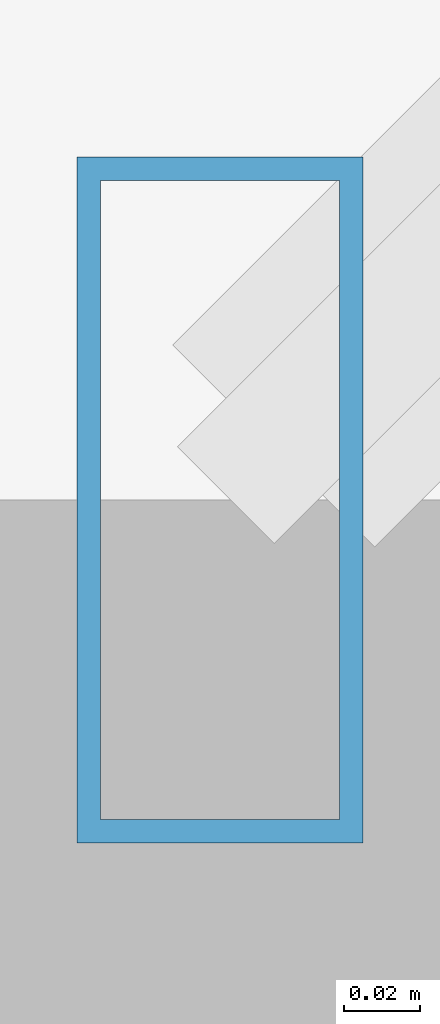
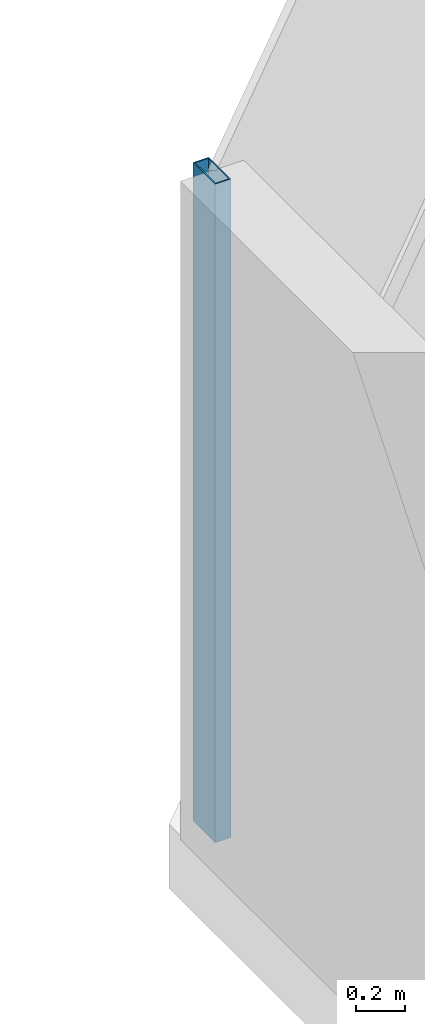
# One storey, part 17 of 42: 1 member, 1 element without a shape of its own.
"""IFC4 building model written with IfcOpenShell, lengths in metres."""

from ifc_helpers import new_model, si_unit, direction, frame, origin, origin_2d, place, context, subcontext, project, spatial, hollow_rectangle, extrude, material, material_profile, profile_set, type_object, element, aggregate, save


model = new_model("IFC4")

# Units and contexts
model_context = context("Model", 3, precision=1e-05, world=origin(), true_north=direction((0.0, 1.0)))
body_context = subcontext(model_context, "Body", "Model", "MODEL_VIEW")
ifc_project = project(units=[si_unit("LENGTHUNIT", "METRE"), si_unit("AREAUNIT", "SQUARE_METRE"), si_unit("VOLUMEUNIT", "CUBIC_METRE"), si_unit("PLANEANGLEUNIT", "RADIAN"), si_unit("MASSUNIT", "GRAM", prefix="KILO")], contexts=[model_context])

# Site, building, storey
site_placement = place(None, origin())
site = spatial("IfcSite", under=ifc_project, at=site_placement, CompositionType="ELEMENT")
building_placement = place(site_placement, origin())
building = spatial("IfcBuilding", under=site, at=building_placement, Name="Thornwick Lancets Civic Towers", CompositionType="ELEMENT")
storey_placement = place(building_placement, frame((0.0, 0.0, 221.699951171875)))
storey = spatial("IfcBuildingStorey", under=building, at=storey_placement, Name="L59", CompositionType="ELEMENT", Elevation=221.699951171875)

# Curtain wall, member
ifc_material_1 = material(Name="High-zone chamfered-corner unitised glass curtain wall", Category="glass")
curtain_wall_type = type_object("IfcCurtainWallType", Name="CW_SYS_05", PredefinedType="NOTDEFINED", material=ifc_material_1)
curtain_wall_placement = place(storey_placement, origin())
curtain_wall = element("IfcCurtainWall", 1, at=curtain_wall_placement, inside=storey, type_object=curtain_wall_type, Name="L59 Curtain Wall CW-L59-B-E5", PredefinedType="NOTDEFINED")
ifc_material_2 = material(Name="Thermally broken bronze aluminium S355", Category="steel")
ifc_material_profile = material_profile(ifc_material_2, hollow_rectangle(XDim=0.074951171875, YDim=0.179931640625, WallThickness=0.006103515625, at=origin_2d()), Name="RHS 180x75x6")
ifc_profile_set = profile_set([ifc_material_profile], Name="Thermally broken bronze aluminium S355")
member_type = type_object("IfcMemberType", Name="CW_MUL_180", PredefinedType="MULLION", material=ifc_profile_set)
member_placement = place(storey_placement, frame((64.7353515625, 42.181396484375, 0.0), z_axis=(0.0, 0.0, 1.0), x_axis=(1.0, 0.0, 0.0)))
member = element("IfcMember", 2, at=member_placement, type_object=member_type, Name="CW-L59-B-E5 Mullion 1", PredefinedType="MULLION", context=body_context, shape_type="SweptSolid", body=[
    extrude(hollow_rectangle(XDim=0.074951171875, YDim=0.179931640625, WallThickness=0.006103515625, at=origin_2d()), origin(), (0.0, 0.0, 1.0), 3.300048828125),
])
aggregate(curtain_wall, [member])

save(model, "model.ifc")
